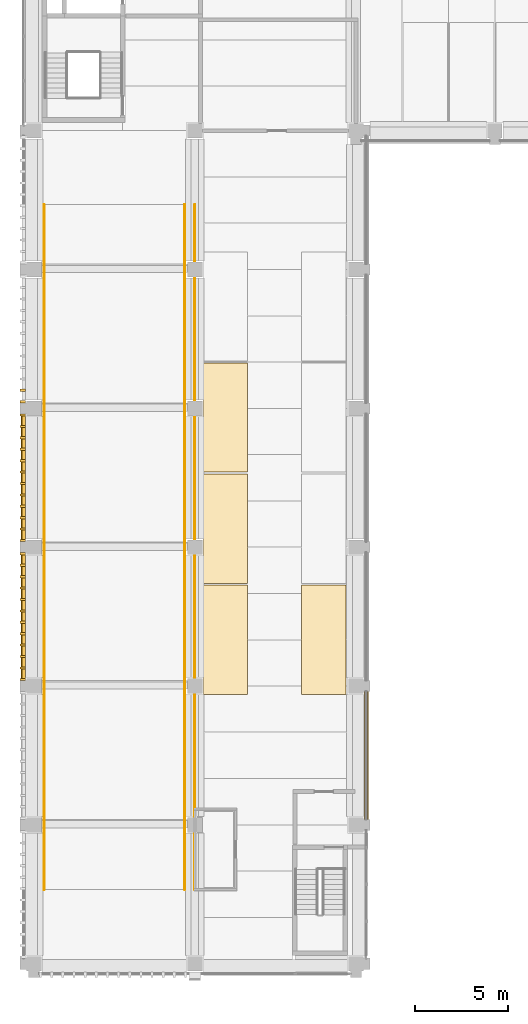
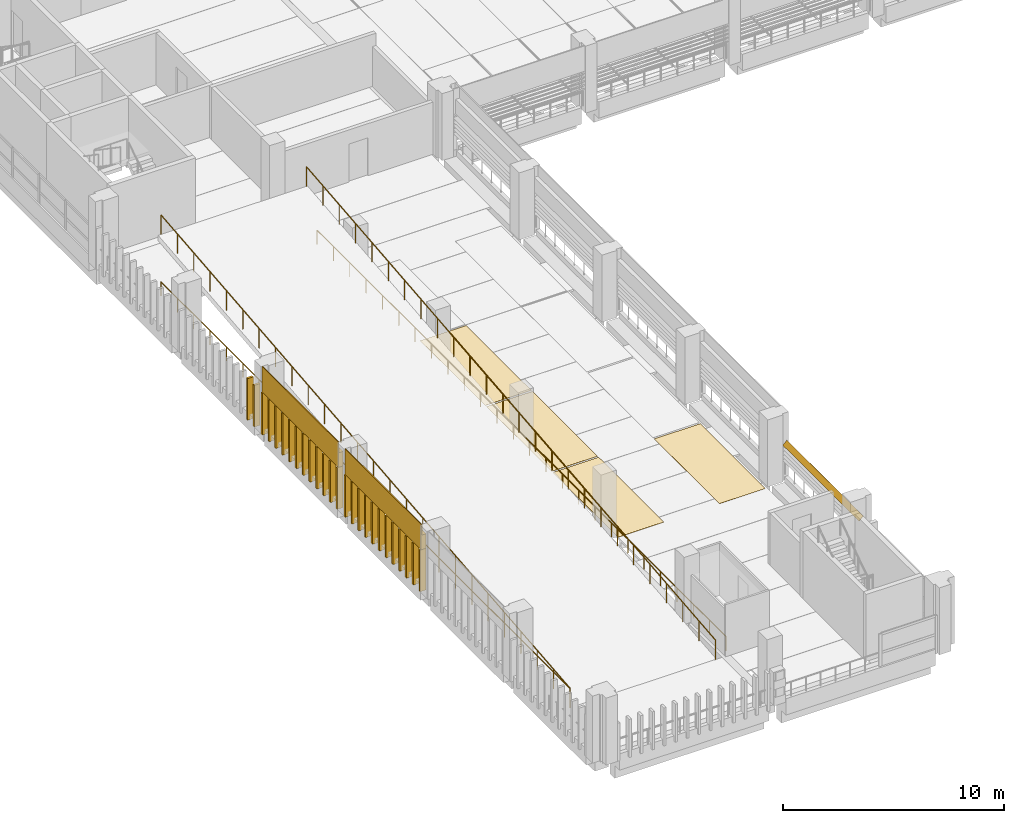
# One storey, part 42 of 61: 32 coverings, 4 railings, 1 shading device.
"""IFC4 building model written with IfcOpenShell, lengths in metres."""

from ifc_helpers import new_model, si_unit, direction, frame, origin, origin_2d, place, context, subcontext, project, spatial, polyline, circle, outline, extrude, material, layer, layer_set, type_object, element, save


model = new_model("IFC4")

# Units and contexts
model_context = context("Model", 3, precision=1e-05, world=origin(), true_north=direction((0.0, 1.0)))
body_context = subcontext(model_context, "Body", "Model", "MODEL_VIEW")
ifc_project = project(units=[si_unit("LENGTHUNIT", "METRE"), si_unit("AREAUNIT", "SQUARE_METRE"), si_unit("VOLUMEUNIT", "CUBIC_METRE"), si_unit("PLANEANGLEUNIT", "RADIAN"), si_unit("MASSUNIT", "GRAM", prefix="KILO")], contexts=[model_context])

# Site, building, storey
site_placement = place(None, origin())
site = spatial("IfcSite", under=ifc_project, at=site_placement, CompositionType="ELEMENT")
building_placement = place(site_placement, origin())
building = spatial("IfcBuilding", under=site, at=building_placement, Name="Cour d'Honneur Mobility Palace", CompositionType="ELEMENT")
storey_placement = place(building_placement, frame((0.0, 0.0, 11.89990234375)))
storey = spatial("IfcBuildingStorey", under=building, at=storey_placement, Name="L03", CompositionType="ELEMENT", Elevation=11.89990234375)

# Coverings
ifc_material_1 = material(Name="Parking marking paint")
ifc_layer_1 = layer(ifc_material_1, 0.0048828125)
ifc_layer_set_1 = layer_set([ifc_layer_1], Name="Parking marking paint")
covering_type_1 = type_object("IfcCoveringType", Name="Parking bay marking", PredefinedType="FLOORING", material=ifc_layer_set_1)
covering_1_placement = place(storey_placement, origin())
element("IfcCovering", 1, at=covering_1_placement, inside=storey, type_object=covering_type_1, Name="Parking bay marking L03 86", PredefinedType="FLOORING", context=body_context, shape_type="SweptSolid", body=[
    extrude(outline(polyline([(11.550048828125, 14.550048828125), (9.14990234375, 14.550048828125), (9.14990234375, 20.449951171875), (11.550048828125, 20.449951171875), (11.550048828125, 14.550048828125)])), origin(), (0.0, 0.0, 1.0), 0.005126953125),
])
covering_2_placement = place(storey_placement, origin())
element("IfcCovering", 2, at=covering_2_placement, inside=storey, type_object=covering_type_1, Name="Parking bay marking L03 87", PredefinedType="FLOORING", context=body_context, shape_type="SweptSolid", body=[
    extrude(outline(polyline([(11.550048828125, 20.550048828125), (9.14990234375, 20.550048828125), (9.14990234375, 26.449951171875), (11.550048828125, 26.449951171875), (11.550048828125, 20.550048828125)])), origin(), (0.0, 0.0, 1.0), 0.005126953125),
])
covering_3_placement = place(storey_placement, origin())
element("IfcCovering", 3, at=covering_3_placement, inside=storey, type_object=covering_type_1, Name="Parking bay marking L03 88", PredefinedType="FLOORING", context=body_context, shape_type="SweptSolid", body=[
    extrude(outline(polyline([(11.550048828125, 26.550048828125), (9.14990234375, 26.550048828125), (9.14990234375, 32.449951171875), (11.550048828125, 32.449951171875), (11.550048828125, 26.550048828125)])), origin(), (0.0, 0.0, 1.0), 0.005126953125),
])
covering_4_placement = place(storey_placement, origin())
element("IfcCovering", 4, at=covering_4_placement, inside=storey, type_object=covering_type_1, Name="Parking bay marking L03 90", PredefinedType="FLOORING", context=body_context, shape_type="SweptSolid", body=[
    extrude(outline(polyline([(16.85009765625, 14.550048828125), (14.449951171875, 14.550048828125), (14.449951171875, 20.449951171875), (16.85009765625, 20.449951171875), (16.85009765625, 14.550048828125)])), origin(), (0.0, 0.0, 1.0), 0.005126953125),
])

# Railings
ifc_material_2 = material(Name="Painted steel", Category="steel")
railing_type_1 = type_object("IfcRailingType", Name="Ramp guard 1100", PredefinedType="GUARDRAIL", material=ifc_material_2)
railing_1_placement = place(storey_placement, frame((0.550048828125, 4.0, 0.0)))
element("IfcRailing", 5, at=railing_1_placement, inside=storey, type_object=railing_type_1, Name="Ramp guard Ramp West 4", PredefinedType="GUARDRAIL", context=body_context, shape_type="SweptSolid", body=[
    extrude(circle(Radius=0.02490234375, at=origin_2d()), frame((0.0, 0.0, 1.0751953125), z_axis=(0.0, 0.995036670145, 0.099508919531), x_axis=(-1.0, 0.0, 0.0)), (0.0, 0.0, 1.0), 37.1845703125),
    extrude(circle(Radius=0.02099609375, at=origin_2d()), origin(), (0.0, 0.0, 1.0), 1.050048828125),
    extrude(circle(Radius=0.02099609375, at=origin_2d()), frame((0.0, 1.47998046875, 0.14794921875)), (0.0, 0.0, 1.0), 1.050048828125),
    extrude(circle(Radius=0.02099609375, at=origin_2d()), frame((0.0, 2.9599609375, 0.2958984375)), (0.0, 0.0, 1.0), 1.050048828125),
    extrude(circle(Radius=0.02099609375, at=origin_2d()), frame((0.0, 4.43994140625, 0.444091796875)), (0.0, 0.0, 1.0), 1.050048828125),
    extrude(circle(Radius=0.02099609375, at=origin_2d()), frame((0.0, 5.919921875, 0.592041015625)), (0.0, 0.0, 1.0), 1.050048828125),
    extrude(circle(Radius=0.02099609375, at=origin_2d()), frame((0.0, 7.39990234375, 0.739990234375)), (0.0, 0.0, 1.0), 1.050048828125),
    extrude(circle(Radius=0.02099609375, at=origin_2d()), frame((0.0, 8.8798828125, 0.887939453125)), (0.0, 0.0, 1.0), 1.050048828125),
    extrude(circle(Radius=0.02099609375, at=origin_2d()), frame((0.0, 10.360107421875, 1.0361328125)), (0.0, 0.0, 1.0), 1.050048828125),
    extrude(circle(Radius=0.02099609375, at=origin_2d()), frame((0.0, 11.840087890625, 1.18408203125)), (0.0, 0.0, 1.0), 1.050048828125),
    extrude(circle(Radius=0.02099609375, at=origin_2d()), frame((0.0, 13.320068359375, 1.33203125)), (0.0, 0.0, 1.0), 1.050048828125),
    extrude(circle(Radius=0.02099609375, at=origin_2d()), frame((0.0, 14.800048828125, 1.47998046875)), (0.0, 0.0, 1.0), 1.050048828125),
    extrude(circle(Radius=0.02099609375, at=origin_2d()), frame((0.0, 16.280029296875, 1.628173828125)), (0.0, 0.0, 1.0), 1.050048828125),
    extrude(circle(Radius=0.02099609375, at=origin_2d()), frame((0.0, 17.760009765625, 1.776123046875)), (0.0, 0.0, 1.0), 1.050048828125),
    extrude(circle(Radius=0.02099609375, at=origin_2d()), frame((0.0, 19.239990234375, 1.924072265625)), (0.0, 0.0, 1.0), 1.050048828125),
    extrude(circle(Radius=0.02099609375, at=origin_2d()), frame((0.0, 20.719970703125, 2.072021484375)), (0.0, 0.0, 1.0), 1.050048828125),
    extrude(circle(Radius=0.02099609375, at=origin_2d()), frame((0.0, 22.199951171875, 2.22021484375)), (0.0, 0.0, 1.0), 1.050048828125),
    extrude(circle(Radius=0.02099609375, at=origin_2d()), frame((0.0, 23.679931640625, 2.3681640625)), (0.0, 0.0, 1.0), 1.050048828125),
    extrude(circle(Radius=0.02099609375, at=origin_2d()), frame((0.0, 25.159912109375, 2.51611328125)), (0.0, 0.0, 1.0), 1.050048828125),
    extrude(circle(Radius=0.02099609375, at=origin_2d()), frame((0.0, 26.639892578125, 2.6640625)), (0.0, 0.0, 1.0), 1.050048828125),
    extrude(circle(Radius=0.02099609375, at=origin_2d()), frame((0.0, 28.1201171875, 2.812255859375)), (0.0, 0.0, 1.0), 1.050048828125),
    extrude(circle(Radius=0.02099609375, at=origin_2d()), frame((0.0, 29.60009765625, 2.960205078125)), (0.0, 0.0, 1.0), 1.050048828125),
    extrude(circle(Radius=0.02099609375, at=origin_2d()), frame((0.0, 31.080078125, 3.108154296875)), (0.0, 0.0, 1.0), 1.050048828125),
    extrude(circle(Radius=0.02099609375, at=origin_2d()), frame((0.0, 32.56005859375, 3.256103515625)), (0.0, 0.0, 1.0), 1.050048828125),
    extrude(circle(Radius=0.02099609375, at=origin_2d()), frame((0.0, 34.0400390625, 3.404296875)), (0.0, 0.0, 1.0), 1.050048828125),
    extrude(circle(Radius=0.02099609375, at=origin_2d()), frame((0.0, 35.52001953125, 3.55224609375)), (0.0, 0.0, 1.0), 1.050048828125),
    extrude(circle(Radius=0.02099609375, at=origin_2d()), frame((0.0, 37.0, 3.7001953125)), (0.0, 0.0, 1.0), 1.050048828125),
])
railing_2_placement = place(storey_placement, frame((8.14990234375, 4.0, 0.0)))
element("IfcRailing", 6, at=railing_2_placement, inside=storey, type_object=railing_type_1, Name="Ramp guard Ramp West 4", PredefinedType="GUARDRAIL", context=body_context, shape_type="SweptSolid", body=[
    extrude(circle(Radius=0.02490234375, at=origin_2d()), frame((0.0, 0.0, 1.0751953125), z_axis=(0.0, 0.995036670145, 0.099508919531), x_axis=(-1.0, 0.0, 0.0)), (0.0, 0.0, 1.0), 37.1845703125),
    extrude(circle(Radius=0.02099609375, at=origin_2d()), origin(), (0.0, 0.0, 1.0), 1.050048828125),
    extrude(circle(Radius=0.02099609375, at=origin_2d()), frame((0.0, 1.47998046875, 0.14794921875)), (0.0, 0.0, 1.0), 1.050048828125),
    extrude(circle(Radius=0.02099609375, at=origin_2d()), frame((0.0, 2.9599609375, 0.2958984375)), (0.0, 0.0, 1.0), 1.050048828125),
    extrude(circle(Radius=0.02099609375, at=origin_2d()), frame((0.0, 4.43994140625, 0.444091796875)), (0.0, 0.0, 1.0), 1.050048828125),
    extrude(circle(Radius=0.02099609375, at=origin_2d()), frame((0.0, 5.919921875, 0.592041015625)), (0.0, 0.0, 1.0), 1.050048828125),
    extrude(circle(Radius=0.02099609375, at=origin_2d()), frame((0.0, 7.39990234375, 0.739990234375)), (0.0, 0.0, 1.0), 1.050048828125),
    extrude(circle(Radius=0.02099609375, at=origin_2d()), frame((0.0, 8.8798828125, 0.887939453125)), (0.0, 0.0, 1.0), 1.050048828125),
    extrude(circle(Radius=0.02099609375, at=origin_2d()), frame((0.0, 10.360107421875, 1.0361328125)), (0.0, 0.0, 1.0), 1.050048828125),
    extrude(circle(Radius=0.02099609375, at=origin_2d()), frame((0.0, 11.840087890625, 1.18408203125)), (0.0, 0.0, 1.0), 1.050048828125),
    extrude(circle(Radius=0.02099609375, at=origin_2d()), frame((0.0, 13.320068359375, 1.33203125)), (0.0, 0.0, 1.0), 1.050048828125),
    extrude(circle(Radius=0.02099609375, at=origin_2d()), frame((0.0, 14.800048828125, 1.47998046875)), (0.0, 0.0, 1.0), 1.050048828125),
    extrude(circle(Radius=0.02099609375, at=origin_2d()), frame((0.0, 16.280029296875, 1.628173828125)), (0.0, 0.0, 1.0), 1.050048828125),
    extrude(circle(Radius=0.02099609375, at=origin_2d()), frame((0.0, 17.760009765625, 1.776123046875)), (0.0, 0.0, 1.0), 1.050048828125),
    extrude(circle(Radius=0.02099609375, at=origin_2d()), frame((0.0, 19.239990234375, 1.924072265625)), (0.0, 0.0, 1.0), 1.050048828125),
    extrude(circle(Radius=0.02099609375, at=origin_2d()), frame((0.0, 20.719970703125, 2.072021484375)), (0.0, 0.0, 1.0), 1.050048828125),
    extrude(circle(Radius=0.02099609375, at=origin_2d()), frame((0.0, 22.199951171875, 2.22021484375)), (0.0, 0.0, 1.0), 1.050048828125),
    extrude(circle(Radius=0.02099609375, at=origin_2d()), frame((0.0, 23.679931640625, 2.3681640625)), (0.0, 0.0, 1.0), 1.050048828125),
    extrude(circle(Radius=0.02099609375, at=origin_2d()), frame((0.0, 25.159912109375, 2.51611328125)), (0.0, 0.0, 1.0), 1.050048828125),
    extrude(circle(Radius=0.02099609375, at=origin_2d()), frame((0.0, 26.639892578125, 2.6640625)), (0.0, 0.0, 1.0), 1.050048828125),
    extrude(circle(Radius=0.02099609375, at=origin_2d()), frame((0.0, 28.1201171875, 2.812255859375)), (0.0, 0.0, 1.0), 1.050048828125),
    extrude(circle(Radius=0.02099609375, at=origin_2d()), frame((0.0, 29.60009765625, 2.960205078125)), (0.0, 0.0, 1.0), 1.050048828125),
    extrude(circle(Radius=0.02099609375, at=origin_2d()), frame((0.0, 31.080078125, 3.108154296875)), (0.0, 0.0, 1.0), 1.050048828125),
    extrude(circle(Radius=0.02099609375, at=origin_2d()), frame((0.0, 32.56005859375, 3.256103515625)), (0.0, 0.0, 1.0), 1.050048828125),
    extrude(circle(Radius=0.02099609375, at=origin_2d()), frame((0.0, 34.0400390625, 3.404296875)), (0.0, 0.0, 1.0), 1.050048828125),
    extrude(circle(Radius=0.02099609375, at=origin_2d()), frame((0.0, 35.52001953125, 3.55224609375)), (0.0, 0.0, 1.0), 1.050048828125),
    extrude(circle(Radius=0.02099609375, at=origin_2d()), frame((0.0, 37.0, 3.7001953125)), (0.0, 0.0, 1.0), 1.050048828125),
])

# Coverings
ifc_material_3 = material(Name="Cast limestone", Category="masonry")
ifc_layer_2 = layer(ifc_material_3, 0.1201171875)
ifc_layer_set_2 = layer_set([ifc_layer_2], Name="Cast limestone")
covering_type_2 = type_object("IfcCoveringType", Name="Ramp screen fin", PredefinedType="CLADDING", material=ifc_layer_set_2)
covering_5_placement = place(storey_placement, origin())
element("IfcCovering", 7, at=covering_5_placement, inside=storey, type_object=covering_type_2, Name="Ramp screen fin W11.9 L03 11", PredefinedType="CLADDING", context=body_context, shape_type="SweptSolid", body=[
    extrude(outline(polyline([(-0.449951171875, 31.036376953125), (-0.449951171875, 30.916259765625), (-0.75, 30.916259765625), (-0.75, 31.036376953125), (-0.449951171875, 31.036376953125)])), origin(), (0.0, 0.0, 1.0), 2.300048828125),
])
covering_6_placement = place(storey_placement, origin())
element("IfcCovering", 8, at=covering_6_placement, inside=storey, type_object=covering_type_2, Name="Ramp screen fin W11.9 L03 12", PredefinedType="CLADDING", context=body_context, shape_type="SweptSolid", body=[
    extrude(outline(polyline([(-0.449951171875, 30.419921875), (-0.449951171875, 30.300048828125), (-0.75, 30.300048828125), (-0.75, 30.419921875), (-0.449951171875, 30.419921875)])), origin(), (0.0, 0.0, 1.0), 2.300048828125),
])
covering_7_placement = place(storey_placement, origin())
element("IfcCovering", 9, at=covering_7_placement, inside=storey, type_object=covering_type_2, Name="Ramp screen fin W11.10 L03 1", PredefinedType="CLADDING", context=body_context, shape_type="SweptSolid", body=[
    extrude(outline(polyline([(-0.449951171875, 29.699951171875), (-0.449951171875, 29.580078125), (-0.75, 29.580078125), (-0.75, 29.699951171875), (-0.449951171875, 29.699951171875)])), origin(), (0.0, 0.0, 1.0), 2.300048828125),
])
covering_8_placement = place(storey_placement, origin())
element("IfcCovering", 10, at=covering_8_placement, inside=storey, type_object=covering_type_2, Name="Ramp screen fin W11.10 L03 2", PredefinedType="CLADDING", context=body_context, shape_type="SweptSolid", body=[
    extrude(outline(polyline([(-0.449951171875, 29.083740234375), (-0.449951171875, 28.963623046875), (-0.75, 28.963623046875), (-0.75, 29.083740234375), (-0.449951171875, 29.083740234375)])), origin(), (0.0, 0.0, 1.0), 2.300048828125),
])
covering_9_placement = place(storey_placement, origin())
element("IfcCovering", 11, at=covering_9_placement, inside=storey, type_object=covering_type_2, Name="Ramp screen fin W11.10 L03 3", PredefinedType="CLADDING", context=body_context, shape_type="SweptSolid", body=[
    extrude(outline(polyline([(-0.449951171875, 28.46728515625), (-0.449951171875, 28.34716796875), (-0.75, 28.34716796875), (-0.75, 28.46728515625), (-0.449951171875, 28.46728515625)])), origin(), (0.0, 0.0, 1.0), 2.300048828125),
])
covering_10_placement = place(storey_placement, origin())
element("IfcCovering", 12, at=covering_10_placement, inside=storey, type_object=covering_type_2, Name="Ramp screen fin W11.10 L03 4", PredefinedType="CLADDING", context=body_context, shape_type="SweptSolid", body=[
    extrude(outline(polyline([(-0.449951171875, 27.850830078125), (-0.449951171875, 27.73095703125), (-0.75, 27.73095703125), (-0.75, 27.850830078125), (-0.449951171875, 27.850830078125)])), origin(), (0.0, 0.0, 1.0), 2.300048828125),
])
covering_11_placement = place(storey_placement, origin())
element("IfcCovering", 13, at=covering_11_placement, inside=storey, type_object=covering_type_2, Name="Ramp screen fin W11.10 L03 5", PredefinedType="CLADDING", context=body_context, shape_type="SweptSolid", body=[
    extrude(outline(polyline([(-0.449951171875, 27.234619140625), (-0.449951171875, 27.114501953125), (-0.75, 27.114501953125), (-0.75, 27.234619140625), (-0.449951171875, 27.234619140625)])), origin(), (0.0, 0.0, 1.0), 2.300048828125),
])
covering_12_placement = place(storey_placement, origin())
element("IfcCovering", 14, at=covering_12_placement, inside=storey, type_object=covering_type_2, Name="Ramp screen fin W11.10 L03 6", PredefinedType="CLADDING", context=body_context, shape_type="SweptSolid", body=[
    extrude(outline(polyline([(-0.449951171875, 26.6181640625), (-0.449951171875, 26.498291015625), (-0.75, 26.498291015625), (-0.75, 26.6181640625), (-0.449951171875, 26.6181640625)])), origin(), (0.0, 0.0, 1.0), 2.300048828125),
])
covering_13_placement = place(storey_placement, origin())
element("IfcCovering", 15, at=covering_13_placement, inside=storey, type_object=covering_type_2, Name="Ramp screen fin W11.10 L03 7", PredefinedType="CLADDING", context=body_context, shape_type="SweptSolid", body=[
    extrude(outline(polyline([(-0.449951171875, 26.001708984375), (-0.449951171875, 25.8818359375), (-0.75, 25.8818359375), (-0.75, 26.001708984375), (-0.449951171875, 26.001708984375)])), origin(), (0.0, 0.0, 1.0), 2.300048828125),
])
covering_14_placement = place(storey_placement, origin())
element("IfcCovering", 16, at=covering_14_placement, inside=storey, type_object=covering_type_2, Name="Ramp screen fin W11.10 L03 8", PredefinedType="CLADDING", context=body_context, shape_type="SweptSolid", body=[
    extrude(outline(polyline([(-0.449951171875, 25.385498046875), (-0.449951171875, 25.265380859375), (-0.75, 25.265380859375), (-0.75, 25.385498046875), (-0.449951171875, 25.385498046875)])), origin(), (0.0, 0.0, 1.0), 2.300048828125),
])
covering_15_placement = place(storey_placement, origin())
element("IfcCovering", 17, at=covering_15_placement, inside=storey, type_object=covering_type_2, Name="Ramp screen fin W11.10 L03 9", PredefinedType="CLADDING", context=body_context, shape_type="SweptSolid", body=[
    extrude(outline(polyline([(-0.449951171875, 24.76904296875), (-0.449951171875, 24.649169921875), (-0.75, 24.649169921875), (-0.75, 24.76904296875), (-0.449951171875, 24.76904296875)])), origin(), (0.0, 0.0, 1.0), 2.300048828125),
])
covering_16_placement = place(storey_placement, origin())
element("IfcCovering", 18, at=covering_16_placement, inside=storey, type_object=covering_type_2, Name="Ramp screen fin W11.10 L03 10", PredefinedType="CLADDING", context=body_context, shape_type="SweptSolid", body=[
    extrude(outline(polyline([(-0.449951171875, 24.15283203125), (-0.449951171875, 24.03271484375), (-0.75, 24.03271484375), (-0.75, 24.15283203125), (-0.449951171875, 24.15283203125)])), origin(), (0.0, 0.0, 1.0), 2.300048828125),
])
covering_17_placement = place(storey_placement, origin())
element("IfcCovering", 19, at=covering_17_placement, inside=storey, type_object=covering_type_2, Name="Ramp screen fin W11.10 L03 11", PredefinedType="CLADDING", context=body_context, shape_type="SweptSolid", body=[
    extrude(outline(polyline([(-0.449951171875, 23.536376953125), (-0.449951171875, 23.416259765625), (-0.75, 23.416259765625), (-0.75, 23.536376953125), (-0.449951171875, 23.536376953125)])), origin(), (0.0, 0.0, 1.0), 2.300048828125),
])
covering_18_placement = place(storey_placement, origin())
element("IfcCovering", 20, at=covering_18_placement, inside=storey, type_object=covering_type_2, Name="Ramp screen fin W11.10 L03 12", PredefinedType="CLADDING", context=body_context, shape_type="SweptSolid", body=[
    extrude(outline(polyline([(-0.449951171875, 22.919921875), (-0.449951171875, 22.800048828125), (-0.75, 22.800048828125), (-0.75, 22.919921875), (-0.449951171875, 22.919921875)])), origin(), (0.0, 0.0, 1.0), 2.300048828125),
])
covering_19_placement = place(storey_placement, origin())
element("IfcCovering", 21, at=covering_19_placement, inside=storey, type_object=covering_type_2, Name="Ramp screen fin W11.11 L03 1", PredefinedType="CLADDING", context=body_context, shape_type="SweptSolid", body=[
    extrude(outline(polyline([(-0.449951171875, 22.199951171875), (-0.449951171875, 22.080078125), (-0.75, 22.080078125), (-0.75, 22.199951171875), (-0.449951171875, 22.199951171875)])), origin(), (0.0, 0.0, 1.0), 2.300048828125),
])
covering_20_placement = place(storey_placement, origin())
element("IfcCovering", 22, at=covering_20_placement, inside=storey, type_object=covering_type_2, Name="Ramp screen fin W11.11 L03 2", PredefinedType="CLADDING", context=body_context, shape_type="SweptSolid", body=[
    extrude(outline(polyline([(-0.449951171875, 21.583740234375), (-0.449951171875, 21.463623046875), (-0.75, 21.463623046875), (-0.75, 21.583740234375), (-0.449951171875, 21.583740234375)])), origin(), (0.0, 0.0, 1.0), 2.300048828125),
])
covering_21_placement = place(storey_placement, origin())
element("IfcCovering", 23, at=covering_21_placement, inside=storey, type_object=covering_type_2, Name="Ramp screen fin W11.11 L03 3", PredefinedType="CLADDING", context=body_context, shape_type="SweptSolid", body=[
    extrude(outline(polyline([(-0.449951171875, 20.96728515625), (-0.449951171875, 20.84716796875), (-0.75, 20.84716796875), (-0.75, 20.96728515625), (-0.449951171875, 20.96728515625)])), origin(), (0.0, 0.0, 1.0), 2.300048828125),
])
covering_22_placement = place(storey_placement, origin())
element("IfcCovering", 24, at=covering_22_placement, inside=storey, type_object=covering_type_2, Name="Ramp screen fin W11.11 L03 4", PredefinedType="CLADDING", context=body_context, shape_type="SweptSolid", body=[
    extrude(outline(polyline([(-0.449951171875, 20.350830078125), (-0.449951171875, 20.23095703125), (-0.75, 20.23095703125), (-0.75, 20.350830078125), (-0.449951171875, 20.350830078125)])), origin(), (0.0, 0.0, 1.0), 2.300048828125),
])
covering_23_placement = place(storey_placement, origin())
element("IfcCovering", 25, at=covering_23_placement, inside=storey, type_object=covering_type_2, Name="Ramp screen fin W11.11 L03 5", PredefinedType="CLADDING", context=body_context, shape_type="SweptSolid", body=[
    extrude(outline(polyline([(-0.449951171875, 19.734619140625), (-0.449951171875, 19.614501953125), (-0.75, 19.614501953125), (-0.75, 19.734619140625), (-0.449951171875, 19.734619140625)])), origin(), (0.0, 0.0, 1.0), 2.300048828125),
])
covering_24_placement = place(storey_placement, origin())
element("IfcCovering", 26, at=covering_24_placement, inside=storey, type_object=covering_type_2, Name="Ramp screen fin W11.11 L03 6", PredefinedType="CLADDING", context=body_context, shape_type="SweptSolid", body=[
    extrude(outline(polyline([(-0.449951171875, 19.1181640625), (-0.449951171875, 18.998291015625), (-0.75, 18.998291015625), (-0.75, 19.1181640625), (-0.449951171875, 19.1181640625)])), origin(), (0.0, 0.0, 1.0), 2.300048828125),
])
covering_25_placement = place(storey_placement, origin())
element("IfcCovering", 27, at=covering_25_placement, inside=storey, type_object=covering_type_2, Name="Ramp screen fin W11.11 L03 7", PredefinedType="CLADDING", context=body_context, shape_type="SweptSolid", body=[
    extrude(outline(polyline([(-0.449951171875, 18.501708984375), (-0.449951171875, 18.3818359375), (-0.75, 18.3818359375), (-0.75, 18.501708984375), (-0.449951171875, 18.501708984375)])), origin(), (0.0, 0.0, 1.0), 2.300048828125),
])
covering_26_placement = place(storey_placement, origin())
element("IfcCovering", 28, at=covering_26_placement, inside=storey, type_object=covering_type_2, Name="Ramp screen fin W11.11 L03 8", PredefinedType="CLADDING", context=body_context, shape_type="SweptSolid", body=[
    extrude(outline(polyline([(-0.449951171875, 17.885498046875), (-0.449951171875, 17.765380859375), (-0.75, 17.765380859375), (-0.75, 17.885498046875), (-0.449951171875, 17.885498046875)])), origin(), (0.0, 0.0, 1.0), 2.300048828125),
])
covering_27_placement = place(storey_placement, origin())
element("IfcCovering", 29, at=covering_27_placement, inside=storey, type_object=covering_type_2, Name="Ramp screen fin W11.11 L03 9", PredefinedType="CLADDING", context=body_context, shape_type="SweptSolid", body=[
    extrude(outline(polyline([(-0.449951171875, 17.26904296875), (-0.449951171875, 17.149169921875), (-0.75, 17.149169921875), (-0.75, 17.26904296875), (-0.449951171875, 17.26904296875)])), origin(), (0.0, 0.0, 1.0), 2.300048828125),
])
covering_28_placement = place(storey_placement, origin())
element("IfcCovering", 30, at=covering_28_placement, inside=storey, type_object=covering_type_2, Name="Ramp screen fin W11.11 L03 10", PredefinedType="CLADDING", context=body_context, shape_type="SweptSolid", body=[
    extrude(outline(polyline([(-0.449951171875, 16.65283203125), (-0.449951171875, 16.53271484375), (-0.75, 16.53271484375), (-0.75, 16.65283203125), (-0.449951171875, 16.65283203125)])), origin(), (0.0, 0.0, 1.0), 2.300048828125),
])
covering_29_placement = place(storey_placement, origin())
element("IfcCovering", 31, at=covering_29_placement, inside=storey, type_object=covering_type_2, Name="Ramp screen fin W11.11 L03 11", PredefinedType="CLADDING", context=body_context, shape_type="SweptSolid", body=[
    extrude(outline(polyline([(-0.449951171875, 16.036376953125), (-0.449951171875, 15.916259765625), (-0.75, 15.916259765625), (-0.75, 16.036376953125), (-0.449951171875, 16.036376953125)])), origin(), (0.0, 0.0, 1.0), 2.300048828125),
])
covering_30_placement = place(storey_placement, origin())
element("IfcCovering", 32, at=covering_30_placement, inside=storey, type_object=covering_type_2, Name="Ramp screen fin W11.11 L03 12", PredefinedType="CLADDING", context=body_context, shape_type="SweptSolid", body=[
    extrude(outline(polyline([(-0.449951171875, 15.419921875), (-0.449951171875, 15.300048828125), (-0.75, 15.300048828125), (-0.75, 15.419921875), (-0.449951171875, 15.419921875)])), origin(), (0.0, 0.0, 1.0), 2.300048828125),
])
ifc_material_4 = material(Name="Cast limestone", Category="masonry")
ifc_layer_3 = layer(ifc_material_4, 0.25)
ifc_layer_set_3 = layer_set([ifc_layer_3], Name="Cast limestone")
covering_type_3 = type_object("IfcCoveringType", Name="Spandrel cladding", PredefinedType="CLADDING", material=ifc_layer_set_3)
for number, where, z_axis, x_axis, name in (
    (33, (-0.449951171875, 29.699951171875, 2.300048828125), (0.0, 1.0, 0.0), (-1.0, 0.0, 0.0), "Spandrel cladding SK-274"),
    (34, (-0.449951171875, 22.199951171875, 2.300048828125), (0.0, 1.0, 0.0), (-1.0, 0.0, 0.0), "Spandrel cladding SK-275"),
):
    element("IfcCovering", number, at=place(storey_placement, frame(where, z_axis=z_axis, x_axis=x_axis)), inside=storey, type_object=covering_type_3, Name=name, PredefinedType="CLADDING", context=body_context, shape_type="SweptSolid", body=[
        extrude(outline(polyline([(0.0, 0.0), (0.25, 0.0), (0.25, 1.400146484375), (0.199951171875, 1.400146484375), (0.199951171875, 0.800048828125), (0.0, 0.800048828125), (0.0, 0.0)])), origin(), (0.0, 0.0, -1.0), 6.89990234375),
    ])

# Shading device
ifc_material_5 = material(Name="Terracotta", Category="masonry")
ifc_layer_4 = layer(ifc_material_5, 0.02490234375)
ifc_layer_set_4 = layer_set([ifc_layer_4], Name="Terracotta")
shading_device_type = type_object("IfcShadingDeviceType", Name="Terracotta louvre blade", PredefinedType="JALOUSIE", material=ifc_layer_set_4)
shading_device_placement = place(storey_placement, frame((17.843994140625, 7.800048828125, 1.94873046875), z_axis=(-0.706699578995, 0.0, 0.707513749017), x_axis=(0.0, 1.0, 0.0)))
element("IfcShadingDevice", 35, at=shading_device_placement, inside=storey, type_object=shading_device_type, Name="Louvre blade LV-1 E1.1 L03 5", PredefinedType="JALOUSIE", context=body_context, shape_type="SweptSolid", body=[
    extrude(outline(polyline([(0.0, 0.0), (6.89990234375, 0.0), (6.89990234375, -0.29986442442957895), (0.0, -0.29986442442957895), (0.0, 0.0)])), origin(), (0.0, 0.0, -1.0), 0.02490234375),
])

# Railings
ifc_material_6 = material(Name="Painted steel", Category="steel")
railing_type_2 = type_object("IfcRailingType", Name="Void edge guard 1100", PredefinedType="GUARDRAIL", material=ifc_material_6)
railing_3_placement = place(storey_placement, frame((8.699951171875, 4.0, 0.300048828125)))
element("IfcRailing", 36, at=railing_3_placement, inside=storey, type_object=railing_type_2, Name="Void edge guard SW L03", PredefinedType="GUARDRAIL", context=body_context, shape_type="SweptSolid", body=[
    extrude(circle(Radius=0.02490234375, at=origin_2d()), frame((0.0, 0.0, 0.77490234375), z_axis=(0.0, 1.0, 0.0), x_axis=(-1.0, 0.0, 0.0)), (0.0, 0.0, 1.0), 37.0),
    extrude(circle(Radius=0.02099609375, at=origin_2d()), origin(), (0.0, 0.0, 1.0), 0.75),
    extrude(circle(Radius=0.02099609375, at=origin_2d()), frame((0.0, 1.47998046875, 0.0)), (0.0, 0.0, 1.0), 0.75),
    extrude(circle(Radius=0.02099609375, at=origin_2d()), frame((0.0, 2.9599609375, 0.0)), (0.0, 0.0, 1.0), 0.75),
    extrude(circle(Radius=0.02099609375, at=origin_2d()), frame((0.0, 4.43994140625, 0.0)), (0.0, 0.0, 1.0), 0.75),
    extrude(circle(Radius=0.02099609375, at=origin_2d()), frame((0.0, 5.919921875, 0.0)), (0.0, 0.0, 1.0), 0.75),
    extrude(circle(Radius=0.02099609375, at=origin_2d()), frame((0.0, 7.39990234375, 0.0)), (0.0, 0.0, 1.0), 0.75),
    extrude(circle(Radius=0.02099609375, at=origin_2d()), frame((0.0, 8.8798828125, 0.0)), (0.0, 0.0, 1.0), 0.75),
    extrude(circle(Radius=0.02099609375, at=origin_2d()), frame((0.0, 10.360107421875, 0.0)), (0.0, 0.0, 1.0), 0.75),
    extrude(circle(Radius=0.02099609375, at=origin_2d()), frame((0.0, 11.840087890625, 0.0)), (0.0, 0.0, 1.0), 0.75),
    extrude(circle(Radius=0.02099609375, at=origin_2d()), frame((0.0, 13.320068359375, 0.0)), (0.0, 0.0, 1.0), 0.75),
    extrude(circle(Radius=0.02099609375, at=origin_2d()), frame((0.0, 14.800048828125, 0.0)), (0.0, 0.0, 1.0), 0.75),
    extrude(circle(Radius=0.02099609375, at=origin_2d()), frame((0.0, 16.280029296875, 0.0)), (0.0, 0.0, 1.0), 0.75),
    extrude(circle(Radius=0.02099609375, at=origin_2d()), frame((0.0, 17.760009765625, 0.0)), (0.0, 0.0, 1.0), 0.75),
    extrude(circle(Radius=0.02099609375, at=origin_2d()), frame((0.0, 19.239990234375, 0.0)), (0.0, 0.0, 1.0), 0.75),
    extrude(circle(Radius=0.02099609375, at=origin_2d()), frame((0.0, 20.719970703125, 0.0)), (0.0, 0.0, 1.0), 0.75),
    extrude(circle(Radius=0.02099609375, at=origin_2d()), frame((0.0, 22.199951171875, 0.0)), (0.0, 0.0, 1.0), 0.75),
    extrude(circle(Radius=0.02099609375, at=origin_2d()), frame((0.0, 23.679931640625, 0.0)), (0.0, 0.0, 1.0), 0.75),
    extrude(circle(Radius=0.02099609375, at=origin_2d()), frame((0.0, 25.159912109375, 0.0)), (0.0, 0.0, 1.0), 0.75),
    extrude(circle(Radius=0.02099609375, at=origin_2d()), frame((0.0, 26.639892578125, 0.0)), (0.0, 0.0, 1.0), 0.75),
    extrude(circle(Radius=0.02099609375, at=origin_2d()), frame((0.0, 28.1201171875, 0.0)), (0.0, 0.0, 1.0), 0.75),
    extrude(circle(Radius=0.02099609375, at=origin_2d()), frame((0.0, 29.60009765625, 0.0)), (0.0, 0.0, 1.0), 0.75),
    extrude(circle(Radius=0.02099609375, at=origin_2d()), frame((0.0, 31.080078125, 0.0)), (0.0, 0.0, 1.0), 0.75),
    extrude(circle(Radius=0.02099609375, at=origin_2d()), frame((0.0, 32.56005859375, 0.0)), (0.0, 0.0, 1.0), 0.75),
    extrude(circle(Radius=0.02099609375, at=origin_2d()), frame((0.0, 34.0400390625, 0.0)), (0.0, 0.0, 1.0), 0.75),
    extrude(circle(Radius=0.02099609375, at=origin_2d()), frame((0.0, 35.52001953125, 0.0)), (0.0, 0.0, 1.0), 0.75),
    extrude(circle(Radius=0.02099609375, at=origin_2d()), frame((0.0, 37.0, 0.0)), (0.0, 0.0, 1.0), 0.75),
])
railing_4_placement = place(storey_placement, frame((0.550048828125, 4.0, 0.300048828125)))
element("IfcRailing", 37, at=railing_4_placement, inside=storey, type_object=railing_type_2, Name="Void edge guard SW L03", PredefinedType="GUARDRAIL", context=body_context, shape_type="SweptSolid", body=[
    extrude(circle(Radius=0.02490234375, at=origin_2d()), frame((0.0, 0.0, 0.77490234375), z_axis=(0.0, 1.0, 0.0), x_axis=(-1.0, 0.0, 0.0)), (0.0, 0.0, 1.0), 37.0),
    extrude(circle(Radius=0.02099609375, at=origin_2d()), origin(), (0.0, 0.0, 1.0), 0.75),
    extrude(circle(Radius=0.02099609375, at=origin_2d()), frame((0.0, 1.47998046875, 0.0)), (0.0, 0.0, 1.0), 0.75),
    extrude(circle(Radius=0.02099609375, at=origin_2d()), frame((0.0, 2.9599609375, 0.0)), (0.0, 0.0, 1.0), 0.75),
    extrude(circle(Radius=0.02099609375, at=origin_2d()), frame((0.0, 4.43994140625, 0.0)), (0.0, 0.0, 1.0), 0.75),
    extrude(circle(Radius=0.02099609375, at=origin_2d()), frame((0.0, 5.919921875, 0.0)), (0.0, 0.0, 1.0), 0.75),
    extrude(circle(Radius=0.02099609375, at=origin_2d()), frame((0.0, 7.39990234375, 0.0)), (0.0, 0.0, 1.0), 0.75),
    extrude(circle(Radius=0.02099609375, at=origin_2d()), frame((0.0, 8.8798828125, 0.0)), (0.0, 0.0, 1.0), 0.75),
    extrude(circle(Radius=0.02099609375, at=origin_2d()), frame((0.0, 10.360107421875, 0.0)), (0.0, 0.0, 1.0), 0.75),
    extrude(circle(Radius=0.02099609375, at=origin_2d()), frame((0.0, 11.840087890625, 0.0)), (0.0, 0.0, 1.0), 0.75),
    extrude(circle(Radius=0.02099609375, at=origin_2d()), frame((0.0, 13.320068359375, 0.0)), (0.0, 0.0, 1.0), 0.75),
    extrude(circle(Radius=0.02099609375, at=origin_2d()), frame((0.0, 14.800048828125, 0.0)), (0.0, 0.0, 1.0), 0.75),
    extrude(circle(Radius=0.02099609375, at=origin_2d()), frame((0.0, 16.280029296875, 0.0)), (0.0, 0.0, 1.0), 0.75),
    extrude(circle(Radius=0.02099609375, at=origin_2d()), frame((0.0, 17.760009765625, 0.0)), (0.0, 0.0, 1.0), 0.75),
    extrude(circle(Radius=0.02099609375, at=origin_2d()), frame((0.0, 19.239990234375, 0.0)), (0.0, 0.0, 1.0), 0.75),
    extrude(circle(Radius=0.02099609375, at=origin_2d()), frame((0.0, 20.719970703125, 0.0)), (0.0, 0.0, 1.0), 0.75),
    extrude(circle(Radius=0.02099609375, at=origin_2d()), frame((0.0, 22.199951171875, 0.0)), (0.0, 0.0, 1.0), 0.75),
    extrude(circle(Radius=0.02099609375, at=origin_2d()), frame((0.0, 23.679931640625, 0.0)), (0.0, 0.0, 1.0), 0.75),
    extrude(circle(Radius=0.02099609375, at=origin_2d()), frame((0.0, 25.159912109375, 0.0)), (0.0, 0.0, 1.0), 0.75),
    extrude(circle(Radius=0.02099609375, at=origin_2d()), frame((0.0, 26.639892578125, 0.0)), (0.0, 0.0, 1.0), 0.75),
    extrude(circle(Radius=0.02099609375, at=origin_2d()), frame((0.0, 28.1201171875, 0.0)), (0.0, 0.0, 1.0), 0.75),
    extrude(circle(Radius=0.02099609375, at=origin_2d()), frame((0.0, 29.60009765625, 0.0)), (0.0, 0.0, 1.0), 0.75),
    extrude(circle(Radius=0.02099609375, at=origin_2d()), frame((0.0, 31.080078125, 0.0)), (0.0, 0.0, 1.0), 0.75),
    extrude(circle(Radius=0.02099609375, at=origin_2d()), frame((0.0, 32.56005859375, 0.0)), (0.0, 0.0, 1.0), 0.75),
    extrude(circle(Radius=0.02099609375, at=origin_2d()), frame((0.0, 34.0400390625, 0.0)), (0.0, 0.0, 1.0), 0.75),
    extrude(circle(Radius=0.02099609375, at=origin_2d()), frame((0.0, 35.52001953125, 0.0)), (0.0, 0.0, 1.0), 0.75),
    extrude(circle(Radius=0.02099609375, at=origin_2d()), frame((0.0, 37.0, 0.0)), (0.0, 0.0, 1.0), 0.75),
])

save(model, "model.ifc")
